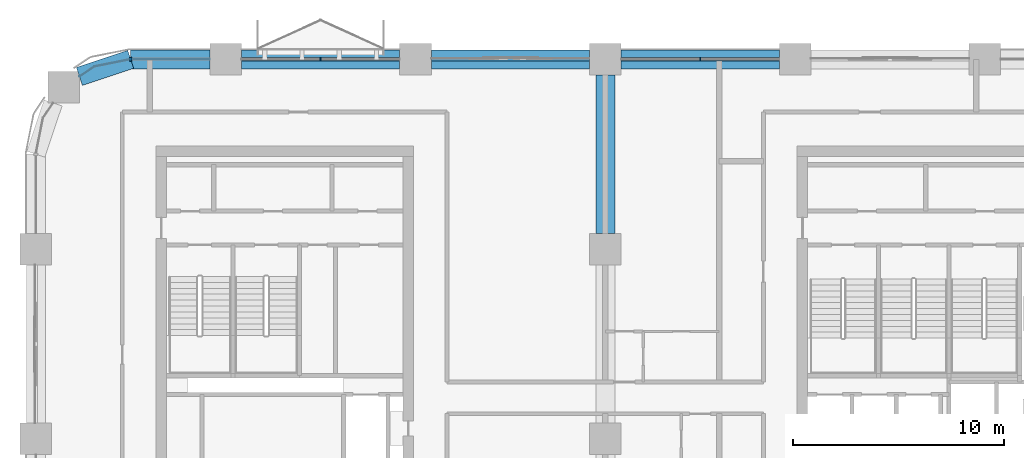
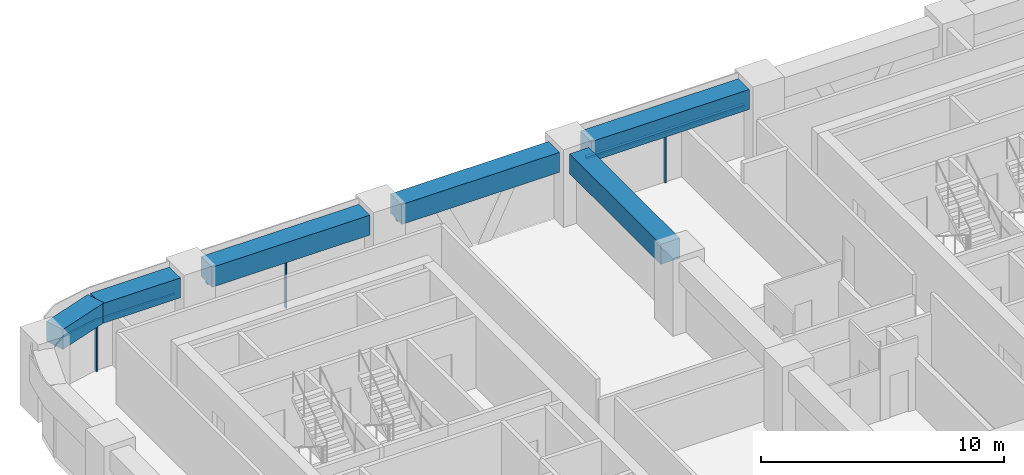
# One storey, part 4 of 13: 7 members, 6 beams, 4 elements without a shape of their own.
"""IFC4 building model written with IfcOpenShell, lengths in metres."""

from ifc_helpers import new_model, si_unit, direction, frame, origin, origin_2d, place, context, subcontext, project, spatial, polyline, rectangle, outline, extrude, material, material_profile, profile_set, type_object, element, aggregate, save


model = new_model("IFC4")

# Units and contexts
model_context = context("Model", 3, precision=1e-05, world=origin(), true_north=direction((0.0, 1.0)))
body_context = subcontext(model_context, "Body", "Model", "MODEL_VIEW")
ifc_project = project(units=[si_unit("LENGTHUNIT", "METRE"), si_unit("AREAUNIT", "SQUARE_METRE"), si_unit("VOLUMEUNIT", "CUBIC_METRE"), si_unit("PLANEANGLEUNIT", "RADIAN"), si_unit("MASSUNIT", "GRAM", prefix="KILO")], contexts=[model_context])

# Site, building, storey
site_placement = place(None, origin())
site = spatial("IfcSite", under=ifc_project, at=site_placement, CompositionType="ELEMENT")
building_placement = place(site_placement, origin())
building = spatial("IfcBuilding", under=site, at=building_placement, Name="Tessera Arch", CompositionType="ELEMENT")
storey_placement = place(building_placement, frame((0.0, 0.0, 189.5)))
storey = spatial("IfcBuildingStorey", under=building, at=storey_placement, Name="L45", CompositionType="ELEMENT", Elevation=189.5)

# Curtain wall, member
ifc_material_1 = material(Name="CW1 curtain wall")
curtain_wall_type_1 = type_object("IfcCurtainWallType", Name="CW1 curtain wall", PredefinedType="NOTDEFINED", material=ifc_material_1)
curtain_wall_1_placement = place(storey_placement, origin())
curtain_wall_1 = element("IfcCurtainWall", 1, at=curtain_wall_1_placement, inside=storey, type_object=curtain_wall_type_1, Name="CW1 curtain wall N54.0/2 L45", PredefinedType="NOTDEFINED")
ifc_material_2 = material(Name="Anodised aluminium pale metal", Category="aluminium")
ifc_material_profile_1 = material_profile(ifc_material_2, rectangle(XDim=0.159912109375, YDim=0.06005859375, at=origin_2d()), Name="AL 60x160")
ifc_profile_set_1 = profile_set([ifc_material_profile_1], Name="Anodised aluminium pale metal")
member_type_1 = type_object("IfcMemberType", Name="CW1 mullion", PredefinedType="MULLION", material=ifc_profile_set_1)
member_1_placement = place(storey_placement, frame((31.5, 54.0, 0.0), z_axis=(0.0, 0.0, 1.0), x_axis=(0.0, -1.0, 0.0)))
member_1 = element("IfcMember", 2, at=member_1_placement, type_object=member_type_1, Name="CW1 mullion N54.0/2 1", PredefinedType="MULLION", context=body_context, shape_type="SweptSolid", body=[
    extrude(rectangle(XDim=0.159912109375, YDim=0.06005859375, at=origin_2d()), origin(), (0.0, 0.0, 1.0), 2.5),
])

curtain_wall_2_placement = place(storey_placement, origin())
curtain_wall_2 = element("IfcCurtainWall", 3, at=curtain_wall_2_placement, inside=storey, type_object=curtain_wall_type_1, Name="CW1 curtain wall N54.0/4 L45", PredefinedType="NOTDEFINED")
member_2_placement = place(storey_placement, frame((13.5, 54.0, 0.0), z_axis=(0.0, 0.0, 1.0), x_axis=(0.0, -1.0, 0.0)))
member_2 = element("IfcMember", 4, at=member_2_placement, type_object=member_type_1, Name="CW1 mullion N54.0/4 1", PredefinedType="MULLION", context=body_context, shape_type="SweptSolid", body=[
    extrude(rectangle(XDim=0.159912109375, YDim=0.06005859375, at=origin_2d()), origin(), (0.0, 0.0, 1.0), 2.5),
])

# Member
ifc_material_3 = material(Name="Anodised aluminium pale metal", Category="aluminium")
ifc_material_profile_2 = material_profile(ifc_material_3, rectangle(XDim=0.159912109375, YDim=0.10009765625, at=origin_2d()), Name="AL 160x100")
ifc_profile_set_2 = profile_set([ifc_material_profile_2], Name="Anodised aluminium pale metal")
member_type_2 = type_object("IfcMemberType", Name="CW1 transom", PredefinedType="USERDEFINED", material=ifc_profile_set_2)
member_3_placement = place(storey_placement, frame((35.25, 54.0, 2.550048828125), z_axis=(-1.0, 0.0, 0.0), x_axis=(0.0, -1.0, 0.0)))
member_3 = element("IfcMember", 5, at=member_3_placement, type_object=member_type_2, Name="CW1 transom N54.0/2 1.1", ObjectType="TRANSOM", PredefinedType="USERDEFINED", context=body_context, shape_type="SweptSolid", body=[
    extrude(rectangle(XDim=0.159912109375, YDim=0.10009765625, at=origin_2d()), origin(), (0.0, 0.0, 1.0), 7.5),
])

aggregate(curtain_wall_1, [member_1, member_3])

member_4_placement = place(storey_placement, frame((17.25, 54.0, 2.550048828125), z_axis=(-1.0, 0.0, 0.0), x_axis=(0.0, -1.0, 0.0)))
member_4 = element("IfcMember", 6, at=member_4_placement, type_object=member_type_2, Name="CW1 transom N54.0/4 1.1", ObjectType="TRANSOM", PredefinedType="USERDEFINED", context=body_context, shape_type="SweptSolid", body=[
    extrude(rectangle(XDim=0.159912109375, YDim=0.10009765625, at=origin_2d()), origin(), (0.0, 0.0, 1.0), 7.5),
])

aggregate(curtain_wall_2, [member_2, member_4])

# Curtain wall, members
ifc_material_4 = material(Name="CW2 curtain wall")
curtain_wall_type_2 = type_object("IfcCurtainWallType", Name="CW2 curtain wall", PredefinedType="NOTDEFINED", material=ifc_material_4)
curtain_wall_3_placement = place(storey_placement, origin())
curtain_wall_3 = element("IfcCurtainWall", 7, at=curtain_wall_3_placement, inside=storey, type_object=curtain_wall_type_2, Name="CW2 curtain wall N54.0/5 L45", PredefinedType="NOTDEFINED")
ifc_material_5 = material(Name="Anodised aluminium pale metal", Category="aluminium")
ifc_material_profile_3 = material_profile(ifc_material_5, rectangle(XDim=0.199951171875, YDim=0.080078125, at=origin_2d()), Name="AL 80x200")
ifc_profile_set_3 = profile_set([ifc_material_profile_3], Name="Anodised aluminium pale metal")
member_type_3 = type_object("IfcMemberType", Name="CW2 mullion", PredefinedType="MULLION", material=ifc_profile_set_3)
member_5_placement = place(storey_placement, frame((4.5, 54.0, 0.0), z_axis=(0.0, 0.0, 1.0), x_axis=(0.0, -1.0, 0.0)))
member_5 = element("IfcMember", 8, at=member_5_placement, type_object=member_type_3, Name="CW2 mullion N54.0/5 1", PredefinedType="MULLION", context=body_context, shape_type="SweptSolid", body=[
    extrude(rectangle(XDim=0.199951171875, YDim=0.080078125, at=origin_2d()), origin(), (0.0, 0.0, 1.0), 2.5),
])
ifc_material_6 = material(Name="Anodised aluminium pale metal", Category="aluminium")
ifc_material_profile_4 = material_profile(ifc_material_6, rectangle(XDim=0.199951171875, YDim=0.10009765625, at=origin_2d()), Name="AL 200x100")
ifc_profile_set_4 = profile_set([ifc_material_profile_4], Name="Anodised aluminium pale metal")
member_type_4 = type_object("IfcMemberType", Name="CW2 transom", PredefinedType="USERDEFINED", material=ifc_profile_set_4)
member_6_placement = place(storey_placement, frame((0.0, 0.0, 2.5)))
member_6 = element("IfcMember", 9, at=member_6_placement, type_object=member_type_4, Name="CW2 transom N54.0/5 1", ObjectType="TRANSOM", PredefinedType="USERDEFINED", context=body_context, shape_type="SweptSolid", body=[
    extrude(outline(polyline([(4.5009765625, 53.989990234375), (8.25, 53.989990234375), (8.25, 54.010009765625), (4.4990234375, 54.010009765625), (2.77392578125, 53.6669921875), (2.0625, 53.19140625), (2.073486328125, 53.1748046875), (2.78173828125, 53.648193359375), (4.5009765625, 53.989990234375)])), origin(), (0.0, 0.0, 1.0), 0.10009765625),
])
aggregate(curtain_wall_3, [member_5, member_6])

# Curtain wall, member
ifc_material_7 = material(Name="CW3 curtain wall")
curtain_wall_type_3 = type_object("IfcCurtainWallType", Name="CW3 curtain wall", PredefinedType="NOTDEFINED", material=ifc_material_7)
curtain_wall_4_placement = place(storey_placement, origin())
curtain_wall_4 = element("IfcCurtainWall", 10, at=curtain_wall_4_placement, inside=storey, type_object=curtain_wall_type_3, Name="CW3 curtain wall N54.0/3 L45", PredefinedType="NOTDEFINED")
ifc_material_8 = material(Name="Anodised aluminium pale metal", Category="aluminium")
ifc_material_profile_5 = material_profile(ifc_material_8, rectangle(XDim=0.139892578125, YDim=0.10009765625, at=origin_2d()), Name="AL 140x100")
ifc_profile_set_5 = profile_set([ifc_material_profile_5], Name="Anodised aluminium pale metal")
member_type_5 = type_object("IfcMemberType", Name="CW3 transom", PredefinedType="USERDEFINED", material=ifc_profile_set_5)
member_7_placement = place(storey_placement, frame((26.25, 54.0, 2.550048828125), z_axis=(-1.0, 0.0, 0.0), x_axis=(0.0, -1.0, 0.0)))
member_7 = element("IfcMember", 11, at=member_7_placement, type_object=member_type_5, Name="CW3 transom N54.0/3 1.1", ObjectType="TRANSOM", PredefinedType="USERDEFINED", context=body_context, shape_type="SweptSolid", body=[
    extrude(rectangle(XDim=0.139892578125, YDim=0.10009765625, at=origin_2d()), origin(), (0.0, 0.0, 1.0), 7.5),
])
aggregate(curtain_wall_4, [member_7])

# Beams
ifc_material_9 = material(Name="Concrete C70/85", Category="concrete")
ifc_material_profile_6 = material_profile(ifc_material_9, rectangle(XDim=0.89990234375, YDim=1.0, at=origin_2d()), Name="RC spandrel beam 900 x 1000 Concrete C70/85")
ifc_profile_set_6 = profile_set([ifc_material_profile_6], Name="Concrete C70/85")
beam_type = type_object("IfcBeamType", Name="RC spandrel beam 900 x 1000 Concrete C70/85", PredefinedType="BEAM", material=ifc_profile_set_6)
for number, where, z_axis, x_axis, name in (
    (12, (35.25, 54.0, 3.10009765625), (-1.0, 0.0, 0.0), (0.0, -1.0, 0.0), "Spandrel beam L45 N54.0/2"),
    (13, (26.25, 54.0, 3.10009765625), (-1.0, 0.0, 0.0), (0.0, -1.0, 0.0), "Spandrel beam L45 N54.0/3"),
    (14, (17.25, 54.0, 3.10009765625), (-1.0, 0.0, 0.0), (0.0, -1.0, 0.0), "Spandrel beam L45 N54.0/4"),
):
    element("IfcBeam", number, at=place(storey_placement, frame(where, z_axis=z_axis, x_axis=x_axis)), inside=storey, type_object=beam_type, Name=name, PredefinedType="BEAM", context=body_context, shape_type="SweptSolid", body=[
        extrude(rectangle(XDim=0.89990234375, YDim=1.0, at=origin_2d()), origin(), (0.0, 0.0, 1.0), 7.5),
    ])
beam_1_placement = place(storey_placement, frame((8.25, 54.0, 3.10009765625), z_axis=(-1.0, 0.0, 0.0), x_axis=(0.0, -1.0, 0.0)))
element("IfcBeam", 15, at=beam_1_placement, inside=storey, type_object=beam_type, Name="Spandrel beam L45 N54.0/5.1", PredefinedType="BEAM", context=body_context, shape_type="SweptSolid", body=[
    extrude(rectangle(XDim=0.89990234375, YDim=1.0, at=origin_2d()), origin(), (0.0, 0.0, 1.0), 3.75),
])
beam_2_placement = place(storey_placement, frame((4.5, 54.0, 3.10009765625), z_axis=(-0.947947973234, -0.31842525032, 0.0), x_axis=(0.31842525032, -0.947947973234, 0.0)))
element("IfcBeam", 16, at=beam_2_placement, inside=storey, type_object=beam_type, Name="Spandrel beam L45 N54.0/5.2", PredefinedType="BEAM", context=body_context, shape_type="SweptSolid", body=[
    extrude(rectangle(XDim=0.89990234375, YDim=1.0, at=origin_2d()), origin(), (0.0, 0.0, 1.0), 2.5654296875),
])
beam_3_placement = place(storey_placement, frame((27.0, 45.75, 3.10009765625), z_axis=(0.0, 1.0, 0.0), x_axis=(-1.0, 0.0, 0.0)))
element("IfcBeam", 17, at=beam_3_placement, inside=storey, type_object=beam_type, Name="Interface beam L45 I0C4F-C4G", PredefinedType="BEAM", context=body_context, shape_type="SweptSolid", body=[
    extrude(rectangle(XDim=0.89990234375, YDim=1.0, at=origin_2d()), origin(), (0.0, 0.0, 1.0), 7.5),
])

save(model, "model.ifc")
